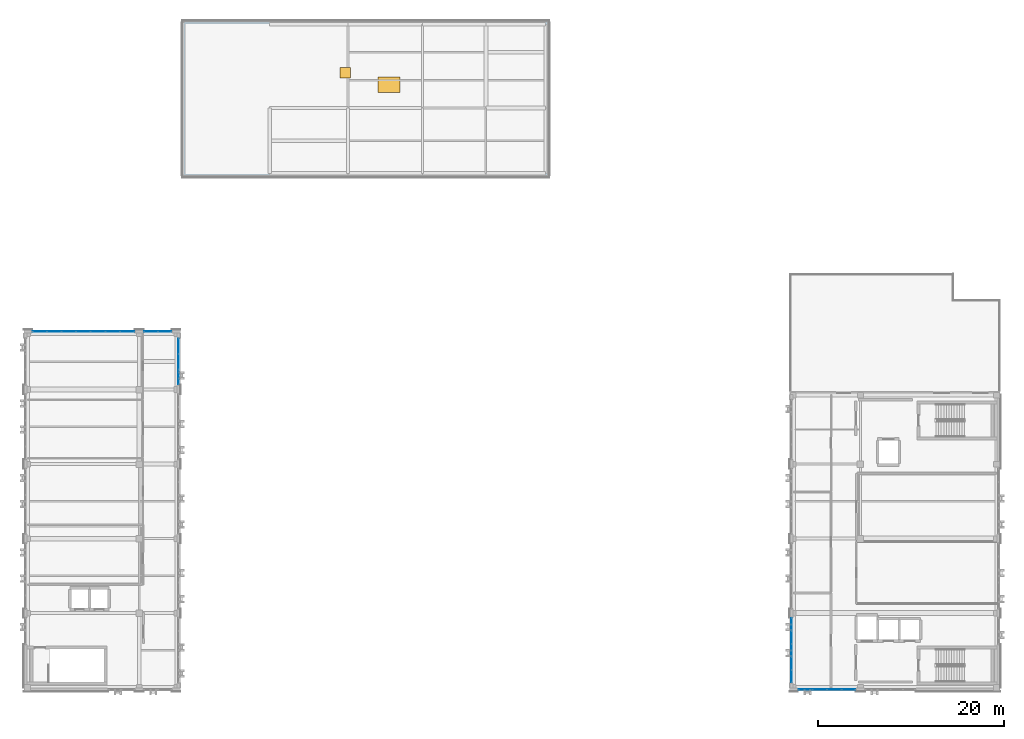
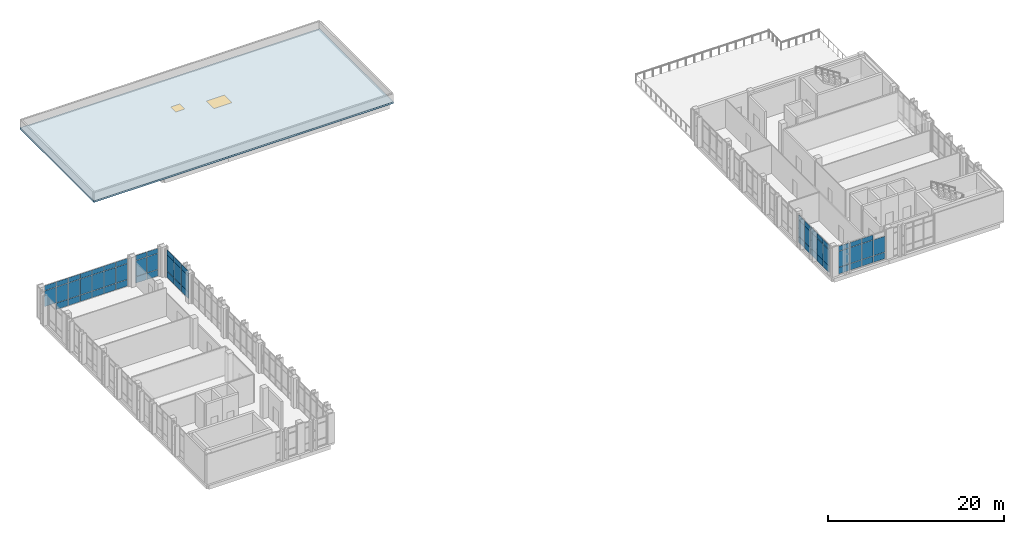
# One storey, part 33 of 48: 61 plates, 1 door, 1 slab, 1 window, 2 openings, 5 elements without a shape of their own.
"""IFC4 building model written with IfcOpenShell, lengths in metres."""

from ifc_helpers import new_model, si_unit, direction, frame, origin, origin_2d, place, context, subcontext, project, spatial, polyline, rectangle, outline, extrude, material, layer, layer_set, type_object, element, fill, aggregate, save


model = new_model("IFC4")

# Units and contexts
model_context = context("Model", 3, precision=1e-05, world=origin(), true_north=direction((0.0, 1.0)))
body_context = subcontext(model_context, "Body", "Model", "MODEL_VIEW")
ifc_project = project(units=[si_unit("LENGTHUNIT", "METRE"), si_unit("AREAUNIT", "SQUARE_METRE"), si_unit("VOLUMEUNIT", "CUBIC_METRE"), si_unit("PLANEANGLEUNIT", "RADIAN"), si_unit("MASSUNIT", "GRAM", prefix="KILO")], contexts=[model_context])

# Site, building, storey
site_placement = place(None, origin())
site = spatial("IfcSite", under=ifc_project, at=site_placement, CompositionType="ELEMENT")
building_placement = place(site_placement, origin())
building = spatial("IfcBuilding", under=site, at=building_placement, Name="Qalavern Law Courts", CompositionType="ELEMENT")
storey_placement = place(building_placement, frame((0.0, 0.0, 31.199951171875)))
storey = spatial("IfcBuildingStorey", under=building, at=storey_placement, Name="L07", CompositionType="ELEMENT", Elevation=31.199951171875)

# Curtain wall, plates
ifc_material_1 = material(Name="Anodised aluminium and insulated glazing", Category="aluminium")
ifc_layer_1 = layer(ifc_material_1, 0.159912109375)
ifc_layer_set_1 = layer_set([ifc_layer_1], Name="Anodised aluminium and insulated glazing")
curtain_wall_type = type_object("IfcCurtainWallType", Name="ENV-CW-CHAMB", PredefinedType="USERDEFINED", material=ifc_layer_set_1)
curtain_wall_1_placement = place(storey_placement, origin())
curtain_wall_1 = element("IfcCurtainWall", 1, at=curtain_wall_1_placement, inside=storey, type_object=curtain_wall_type, Name="V3 unitised curtain wall L07 north 1", ObjectType="UNITISED CURTAIN WALL", PredefinedType="USERDEFINED")
ifc_material_2 = material(Name="Insulated low-E acoustic glazing", Category="glass")
ifc_layer_2 = layer(ifc_material_2, 0.035888671875)
ifc_layer_set_2 = layer_set([ifc_layer_2], Name="Insulated low-E acoustic glazing")
plate_type_1 = type_object("IfcPlateType", Name="ENV-CWP-36", PredefinedType="CURTAIN_PANEL", material=ifc_layer_set_2)
plate_1_placement = place(storey_placement, frame((17.137939453125, 79.62255859375, 0.048095703125), z_axis=(0.0, 0.0, 1.0), x_axis=(-1.0, 0.0, 0.0)))
plate_1 = element("IfcPlate", 2, at=plate_1_placement, type_object=plate_type_1, Name="CW-04 panel 1.1", PredefinedType="CURTAIN_PANEL", context=body_context, shape_type="SweptSolid", body=[
    extrude(rectangle(XDim=1.427978515625, YDim=0.035888671875, at=origin_2d()), origin(), (0.0, 0.0, 1.0), 0.8779296875),
])
plate_2_placement = place(storey_placement, frame((17.137939453125, 79.62255859375, 0.97412109375), z_axis=(0.0, 0.0, 1.0), x_axis=(-1.0, 0.0, 0.0)))
plate_2 = element("IfcPlate", 3, at=plate_2_placement, type_object=plate_type_1, Name="CW-04 panel 1.2", PredefinedType="CURTAIN_PANEL", context=body_context, shape_type="SweptSolid", body=[
    extrude(rectangle(XDim=1.427978515625, YDim=0.035888671875, at=origin_2d()), origin(), (0.0, 0.0, 1.0), 2.19189453125),
])
plate_3_placement = place(storey_placement, frame((17.137939453125, 79.62255859375, 3.2138671875), z_axis=(0.0, 0.0, 1.0), x_axis=(-1.0, 0.0, 0.0)))
plate_3 = element("IfcPlate", 4, at=plate_3_placement, type_object=plate_type_1, Name="CW-04 panel 1.3", PredefinedType="CURTAIN_PANEL", context=body_context, shape_type="SweptSolid", body=[
    extrude(rectangle(XDim=1.427978515625, YDim=0.035888671875, at=origin_2d()), origin(), (0.0, 0.0, 1.0), 0.677978515625),
])
plate_4_placement = place(storey_placement, frame((15.662109375, 79.62255859375, 0.048095703125), z_axis=(0.0, 0.0, 1.0), x_axis=(-1.0, 0.0, 0.0)))
plate_4 = element("IfcPlate", 5, at=plate_4_placement, type_object=plate_type_1, Name="CW-04 panel 2.1", PredefinedType="CURTAIN_PANEL", context=body_context, shape_type="SweptSolid", body=[
    extrude(rectangle(XDim=1.427978515625, YDim=0.035888671875, at=origin_2d()), origin(), (0.0, 0.0, 1.0), 0.8779296875),
])
plate_5_placement = place(storey_placement, frame((15.662109375, 79.62255859375, 0.97412109375), z_axis=(0.0, 0.0, 1.0), x_axis=(-1.0, 0.0, 0.0)))
plate_5 = element("IfcPlate", 6, at=plate_5_placement, type_object=plate_type_1, Name="CW-04 panel 2.2", PredefinedType="CURTAIN_PANEL", context=body_context, shape_type="SweptSolid", body=[
    extrude(rectangle(XDim=1.427978515625, YDim=0.035888671875, at=origin_2d()), origin(), (0.0, 0.0, 1.0), 2.19189453125),
])
plate_6_placement = place(storey_placement, frame((15.662109375, 79.62255859375, 3.2138671875), z_axis=(0.0, 0.0, 1.0), x_axis=(-1.0, 0.0, 0.0)))
plate_6 = element("IfcPlate", 7, at=plate_6_placement, type_object=plate_type_1, Name="CW-04 panel 2.3", PredefinedType="CURTAIN_PANEL", context=body_context, shape_type="SweptSolid", body=[
    extrude(rectangle(XDim=1.427978515625, YDim=0.035888671875, at=origin_2d()), origin(), (0.0, 0.0, 1.0), 0.677978515625),
])
aggregate(curtain_wall_1, [plate_1, plate_2, plate_3, plate_4, plate_5, plate_6])

curtain_wall_2_placement = place(storey_placement, origin())
curtain_wall_2 = element("IfcCurtainWall", 8, at=curtain_wall_2_placement, inside=storey, type_object=curtain_wall_type, Name="V4 unitised curtain wall L07 south 1", ObjectType="UNITISED CURTAIN WALL", PredefinedType="USERDEFINED")
plate_7_placement = place(storey_placement, frame((85.886962890625, 41.197509765625, 0.048095703125), z_axis=(0.0, 0.0, 1.0), x_axis=(1.0, 0.0, 0.0)))
plate_7 = element("IfcPlate", 9, at=plate_7_placement, type_object=plate_type_1, Name="CW-04 panel 1.1", PredefinedType="CURTAIN_PANEL", context=body_context, shape_type="SweptSolid", body=[
    extrude(rectangle(XDim=1.47802734375, YDim=0.035888671875, at=origin_2d()), origin(), (0.0, 0.0, 1.0), 0.8779296875),
])
plate_8_placement = place(storey_placement, frame((85.886962890625, 41.197509765625, 0.97412109375), z_axis=(0.0, 0.0, 1.0), x_axis=(1.0, 0.0, 0.0)))
plate_8 = element("IfcPlate", 10, at=plate_8_placement, type_object=plate_type_1, Name="CW-04 panel 1.2", PredefinedType="CURTAIN_PANEL", context=body_context, shape_type="SweptSolid", body=[
    extrude(rectangle(XDim=1.47802734375, YDim=0.035888671875, at=origin_2d()), origin(), (0.0, 0.0, 1.0), 2.19189453125),
])
plate_9_placement = place(storey_placement, frame((85.886962890625, 41.197509765625, 3.2138671875), z_axis=(0.0, 0.0, 1.0), x_axis=(1.0, 0.0, 0.0)))
plate_9 = element("IfcPlate", 11, at=plate_9_placement, type_object=plate_type_1, Name="CW-04 panel 1.3", PredefinedType="CURTAIN_PANEL", context=body_context, shape_type="SweptSolid", body=[
    extrude(rectangle(XDim=1.47802734375, YDim=0.035888671875, at=origin_2d()), origin(), (0.0, 0.0, 1.0), 0.677978515625),
])
plate_10_placement = place(storey_placement, frame((87.425048828125, 41.197509765625, 0.048095703125), z_axis=(0.0, 0.0, 1.0), x_axis=(1.0, 0.0, 0.0)))
plate_10 = element("IfcPlate", 12, at=plate_10_placement, type_object=plate_type_1, Name="CW-04 panel 2.1", PredefinedType="CURTAIN_PANEL", context=body_context, shape_type="SweptSolid", body=[
    extrude(rectangle(XDim=1.501953125, YDim=0.035888671875, at=origin_2d()), origin(), (0.0, 0.0, 1.0), 0.8779296875),
])
plate_11_placement = place(storey_placement, frame((87.425048828125, 41.197509765625, 0.97412109375), z_axis=(0.0, 0.0, 1.0), x_axis=(1.0, 0.0, 0.0)))
plate_11 = element("IfcPlate", 13, at=plate_11_placement, type_object=plate_type_1, Name="CW-04 panel 2.2", PredefinedType="CURTAIN_PANEL", context=body_context, shape_type="SweptSolid", body=[
    extrude(rectangle(XDim=1.501953125, YDim=0.035888671875, at=origin_2d()), origin(), (0.0, 0.0, 1.0), 2.19189453125),
])
plate_12_placement = place(storey_placement, frame((87.425048828125, 41.197509765625, 3.2138671875), z_axis=(0.0, 0.0, 1.0), x_axis=(1.0, 0.0, 0.0)))
plate_12 = element("IfcPlate", 14, at=plate_12_placement, type_object=plate_type_1, Name="CW-04 panel 2.3", PredefinedType="CURTAIN_PANEL", context=body_context, shape_type="SweptSolid", body=[
    extrude(rectangle(XDim=1.501953125, YDim=0.035888671875, at=origin_2d()), origin(), (0.0, 0.0, 1.0), 0.677978515625),
])
plate_13_placement = place(storey_placement, frame((88.97509765625, 41.197509765625, 0.048095703125), z_axis=(0.0, 0.0, 1.0), x_axis=(1.0, 0.0, 0.0)))
plate_13 = element("IfcPlate", 15, at=plate_13_placement, type_object=plate_type_1, Name="CW-04 panel 3.1", PredefinedType="CURTAIN_PANEL", context=body_context, shape_type="SweptSolid", body=[
    extrude(rectangle(XDim=1.501953125, YDim=0.035888671875, at=origin_2d()), origin(), (0.0, 0.0, 1.0), 0.8779296875),
])
plate_14_placement = place(storey_placement, frame((88.97509765625, 41.197509765625, 0.97412109375), z_axis=(0.0, 0.0, 1.0), x_axis=(1.0, 0.0, 0.0)))
plate_14 = element("IfcPlate", 16, at=plate_14_placement, type_object=plate_type_1, Name="CW-04 panel 3.2", PredefinedType="CURTAIN_PANEL", context=body_context, shape_type="SweptSolid", body=[
    extrude(rectangle(XDim=1.501953125, YDim=0.035888671875, at=origin_2d()), origin(), (0.0, 0.0, 1.0), 2.19189453125),
])
plate_15_placement = place(storey_placement, frame((88.97509765625, 41.197509765625, 3.2138671875), z_axis=(0.0, 0.0, 1.0), x_axis=(1.0, 0.0, 0.0)))
plate_15 = element("IfcPlate", 17, at=plate_15_placement, type_object=plate_type_1, Name="CW-04 panel 3.3", PredefinedType="CURTAIN_PANEL", context=body_context, shape_type="SweptSolid", body=[
    extrude(rectangle(XDim=1.501953125, YDim=0.035888671875, at=origin_2d()), origin(), (0.0, 0.0, 1.0), 0.677978515625),
])
plate_16_placement = place(storey_placement, frame((90.512939453125, 41.197509765625, 0.048095703125), z_axis=(0.0, 0.0, 1.0), x_axis=(1.0, 0.0, 0.0)))
plate_16 = element("IfcPlate", 18, at=plate_16_placement, type_object=plate_type_1, Name="CW-04 panel 4.1", PredefinedType="CURTAIN_PANEL", context=body_context, shape_type="SweptSolid", body=[
    extrude(rectangle(XDim=1.47802734375, YDim=0.035888671875, at=origin_2d()), origin(), (0.0, 0.0, 1.0), 0.8779296875),
])
plate_17_placement = place(storey_placement, frame((90.512939453125, 41.197509765625, 0.97412109375), z_axis=(0.0, 0.0, 1.0), x_axis=(1.0, 0.0, 0.0)))
plate_17 = element("IfcPlate", 19, at=plate_17_placement, type_object=plate_type_1, Name="CW-04 panel 4.2", PredefinedType="CURTAIN_PANEL", context=body_context, shape_type="SweptSolid", body=[
    extrude(rectangle(XDim=1.47802734375, YDim=0.035888671875, at=origin_2d()), origin(), (0.0, 0.0, 1.0), 2.19189453125),
])
aggregate(curtain_wall_2, [plate_7, plate_8, plate_9, plate_10, plate_11, plate_12, plate_13, plate_14, plate_15, plate_16, plate_17])

curtain_wall_3_placement = place(storey_placement, origin())
curtain_wall_3 = element("IfcCurtainWall", 20, at=curtain_wall_3_placement, inside=storey, type_object=curtain_wall_type, Name="V3 unitised curtain wall L07 north 2", ObjectType="UNITISED CURTAIN WALL", PredefinedType="USERDEFINED")
ifc_layer_3 = layer(ifc_material_2, 0.0400390625)
ifc_layer_set_3 = layer_set([ifc_layer_3], Name="Insulated low-E acoustic glazing")
plate_type_2 = type_object("IfcPlateType", Name="ENV-CWP-40", PredefinedType="CURTAIN_PANEL", material=ifc_layer_set_3)
plate_18_placement = place(storey_placement, frame((13.102294921875, 79.62255859375, 0.048095703125), z_axis=(0.0, 0.0, 1.0), x_axis=(-1.0, 0.0, 0.0)))
plate_18 = element("IfcPlate", 21, at=plate_18_placement, type_object=plate_type_2, Name="CW-04 panel 1.1", PredefinedType="CURTAIN_PANEL", context=body_context, shape_type="SweptSolid", body=[
    extrude(rectangle(XDim=1.49951171875, YDim=0.0400390625, at=origin_2d()), origin(), (0.0, 0.0, 1.0), 0.8779296875),
])
plate_19_placement = place(storey_placement, frame((13.102294921875, 79.62255859375, 0.97412109375), z_axis=(0.0, 0.0, 1.0), x_axis=(-1.0, 0.0, 0.0)))
plate_19 = element("IfcPlate", 22, at=plate_19_placement, type_object=plate_type_2, Name="CW-04 panel 1.2", PredefinedType="CURTAIN_PANEL", context=body_context, shape_type="SweptSolid", body=[
    extrude(rectangle(XDim=1.49951171875, YDim=0.0400390625, at=origin_2d()), origin(), (0.0, 0.0, 1.0), 2.19189453125),
])
plate_20_placement = place(storey_placement, frame((13.102294921875, 79.62255859375, 3.2138671875), z_axis=(0.0, 0.0, 1.0), x_axis=(-1.0, 0.0, 0.0)))
plate_20 = element("IfcPlate", 23, at=plate_20_placement, type_object=plate_type_2, Name="CW-04 panel 1.3", PredefinedType="CURTAIN_PANEL", context=body_context, shape_type="SweptSolid", body=[
    extrude(rectangle(XDim=1.49951171875, YDim=0.0400390625, at=origin_2d()), origin(), (0.0, 0.0, 1.0), 0.677978515625),
])
plate_21_placement = place(storey_placement, frame((11.54296875, 79.62255859375, 0.048095703125), z_axis=(0.0, 0.0, 1.0), x_axis=(-1.0, 0.0, 0.0)))
plate_21 = element("IfcPlate", 24, at=plate_21_placement, type_object=plate_type_2, Name="CW-04 panel 2.1", PredefinedType="CURTAIN_PANEL", context=body_context, shape_type="SweptSolid", body=[
    extrude(rectangle(XDim=1.5234375, YDim=0.0400390625, at=origin_2d()), origin(), (0.0, 0.0, 1.0), 0.8779296875),
])
plate_22_placement = place(storey_placement, frame((11.54296875, 79.62255859375, 0.97412109375), z_axis=(0.0, 0.0, 1.0), x_axis=(-1.0, 0.0, 0.0)))
plate_22 = element("IfcPlate", 25, at=plate_22_placement, type_object=plate_type_2, Name="CW-04 panel 2.2", PredefinedType="CURTAIN_PANEL", context=body_context, shape_type="SweptSolid", body=[
    extrude(rectangle(XDim=1.5234375, YDim=0.0400390625, at=origin_2d()), origin(), (0.0, 0.0, 1.0), 2.19189453125),
])
plate_23_placement = place(storey_placement, frame((11.54296875, 79.62255859375, 3.2138671875), z_axis=(0.0, 0.0, 1.0), x_axis=(-1.0, 0.0, 0.0)))
plate_23 = element("IfcPlate", 26, at=plate_23_placement, type_object=plate_type_2, Name="CW-04 panel 2.3", PredefinedType="CURTAIN_PANEL", context=body_context, shape_type="SweptSolid", body=[
    extrude(rectangle(XDim=1.5234375, YDim=0.0400390625, at=origin_2d()), origin(), (0.0, 0.0, 1.0), 0.677978515625),
])
plate_24_placement = place(storey_placement, frame((9.971435546875, 79.62255859375, 0.048095703125), z_axis=(0.0, 0.0, 1.0), x_axis=(-1.0, 0.0, 0.0)))
plate_24 = element("IfcPlate", 27, at=plate_24_placement, type_object=plate_type_2, Name="CW-04 panel 3.1", PredefinedType="CURTAIN_PANEL", context=body_context, shape_type="SweptSolid", body=[
    extrude(rectangle(XDim=1.5234375, YDim=0.0400390625, at=origin_2d()), origin(), (0.0, 0.0, 1.0), 0.8779296875),
])
plate_25_placement = place(storey_placement, frame((9.971435546875, 79.62255859375, 0.97412109375), z_axis=(0.0, 0.0, 1.0), x_axis=(-1.0, 0.0, 0.0)))
plate_25 = element("IfcPlate", 28, at=plate_25_placement, type_object=plate_type_2, Name="CW-04 panel 3.2", PredefinedType="CURTAIN_PANEL", context=body_context, shape_type="SweptSolid", body=[
    extrude(rectangle(XDim=1.5234375, YDim=0.0400390625, at=origin_2d()), origin(), (0.0, 0.0, 1.0), 2.19189453125),
])
plate_26_placement = place(storey_placement, frame((9.971435546875, 79.62255859375, 3.2138671875), z_axis=(0.0, 0.0, 1.0), x_axis=(-1.0, 0.0, 0.0)))
plate_26 = element("IfcPlate", 29, at=plate_26_placement, type_object=plate_type_2, Name="CW-04 panel 3.3", PredefinedType="CURTAIN_PANEL", context=body_context, shape_type="SweptSolid", body=[
    extrude(rectangle(XDim=1.5234375, YDim=0.0400390625, at=origin_2d()), origin(), (0.0, 0.0, 1.0), 0.677978515625),
])
plate_27_placement = place(storey_placement, frame((8.39990234375, 79.62255859375, 0.048095703125), z_axis=(0.0, 0.0, 1.0), x_axis=(-1.0, 0.0, 0.0)))
plate_27 = element("IfcPlate", 30, at=plate_27_placement, type_object=plate_type_2, Name="CW-04 panel 4.1", PredefinedType="CURTAIN_PANEL", context=body_context, shape_type="SweptSolid", body=[
    extrude(rectangle(XDim=1.5234375, YDim=0.0400390625, at=origin_2d()), origin(), (0.0, 0.0, 1.0), 0.8779296875),
])
plate_28_placement = place(storey_placement, frame((8.39990234375, 79.62255859375, 0.97412109375), z_axis=(0.0, 0.0, 1.0), x_axis=(-1.0, 0.0, 0.0)))
plate_28 = element("IfcPlate", 31, at=plate_28_placement, type_object=plate_type_2, Name="CW-04 panel 4.2", PredefinedType="CURTAIN_PANEL", context=body_context, shape_type="SweptSolid", body=[
    extrude(rectangle(XDim=1.5234375, YDim=0.0400390625, at=origin_2d()), origin(), (0.0, 0.0, 1.0), 2.19189453125),
])
plate_29_placement = place(storey_placement, frame((8.39990234375, 79.62255859375, 3.2138671875), z_axis=(0.0, 0.0, 1.0), x_axis=(-1.0, 0.0, 0.0)))
plate_29 = element("IfcPlate", 32, at=plate_29_placement, type_object=plate_type_2, Name="CW-04 panel 4.3", PredefinedType="CURTAIN_PANEL", context=body_context, shape_type="SweptSolid", body=[
    extrude(rectangle(XDim=1.5234375, YDim=0.0400390625, at=origin_2d()), origin(), (0.0, 0.0, 1.0), 0.677978515625),
])
plate_30_placement = place(storey_placement, frame((6.82861328125, 79.62255859375, 0.048095703125), z_axis=(0.0, 0.0, 1.0), x_axis=(-1.0, 0.0, 0.0)))
plate_30 = element("IfcPlate", 33, at=plate_30_placement, type_object=plate_type_2, Name="CW-04 panel 5.1", PredefinedType="CURTAIN_PANEL", context=body_context, shape_type="SweptSolid", body=[
    extrude(rectangle(XDim=1.5234375, YDim=0.0400390625, at=origin_2d()), origin(), (0.0, 0.0, 1.0), 0.8779296875),
])
plate_31_placement = place(storey_placement, frame((6.82861328125, 79.62255859375, 0.97412109375), z_axis=(0.0, 0.0, 1.0), x_axis=(-1.0, 0.0, 0.0)))
plate_31 = element("IfcPlate", 34, at=plate_31_placement, type_object=plate_type_2, Name="CW-04 panel 5.2", PredefinedType="CURTAIN_PANEL", context=body_context, shape_type="SweptSolid", body=[
    extrude(rectangle(XDim=1.5234375, YDim=0.0400390625, at=origin_2d()), origin(), (0.0, 0.0, 1.0), 2.19189453125),
])
plate_32_placement = place(storey_placement, frame((6.82861328125, 79.62255859375, 3.2138671875), z_axis=(0.0, 0.0, 1.0), x_axis=(-1.0, 0.0, 0.0)))
plate_32 = element("IfcPlate", 35, at=plate_32_placement, type_object=plate_type_2, Name="CW-04 panel 5.3", PredefinedType="CURTAIN_PANEL", context=body_context, shape_type="SweptSolid", body=[
    extrude(rectangle(XDim=1.5234375, YDim=0.0400390625, at=origin_2d()), origin(), (0.0, 0.0, 1.0), 0.677978515625),
])
plate_33_placement = place(storey_placement, frame((5.257080078125, 79.62255859375, 0.048095703125), z_axis=(0.0, 0.0, 1.0), x_axis=(-1.0, 0.0, 0.0)))
plate_33 = element("IfcPlate", 36, at=plate_33_placement, type_object=plate_type_2, Name="CW-04 panel 6.1", PredefinedType="CURTAIN_PANEL", context=body_context, shape_type="SweptSolid", body=[
    extrude(rectangle(XDim=1.5234375, YDim=0.0400390625, at=origin_2d()), origin(), (0.0, 0.0, 1.0), 0.8779296875),
])
plate_34_placement = place(storey_placement, frame((5.257080078125, 79.62255859375, 0.97412109375), z_axis=(0.0, 0.0, 1.0), x_axis=(-1.0, 0.0, 0.0)))
plate_34 = element("IfcPlate", 37, at=plate_34_placement, type_object=plate_type_2, Name="CW-04 panel 6.2", PredefinedType="CURTAIN_PANEL", context=body_context, shape_type="SweptSolid", body=[
    extrude(rectangle(XDim=1.5234375, YDim=0.0400390625, at=origin_2d()), origin(), (0.0, 0.0, 1.0), 2.19189453125),
])
plate_35_placement = place(storey_placement, frame((5.257080078125, 79.62255859375, 3.2138671875), z_axis=(0.0, 0.0, 1.0), x_axis=(-1.0, 0.0, 0.0)))
plate_35 = element("IfcPlate", 38, at=plate_35_placement, type_object=plate_type_2, Name="CW-04 panel 6.3", PredefinedType="CURTAIN_PANEL", context=body_context, shape_type="SweptSolid", body=[
    extrude(rectangle(XDim=1.5234375, YDim=0.0400390625, at=origin_2d()), origin(), (0.0, 0.0, 1.0), 0.677978515625),
])
plate_36_placement = place(storey_placement, frame((3.69775390625, 79.62255859375, 0.97412109375), z_axis=(0.0, 0.0, 1.0), x_axis=(-1.0, 0.0, 0.0)))
plate_36 = element("IfcPlate", 39, at=plate_36_placement, type_object=plate_type_2, Name="CW-04 panel 7.2", PredefinedType="CURTAIN_PANEL", context=body_context, shape_type="SweptSolid", body=[
    extrude(rectangle(XDim=1.49951171875, YDim=0.0400390625, at=origin_2d()), origin(), (0.0, 0.0, 1.0), 2.19189453125),
])
plate_37_placement = place(storey_placement, frame((3.69775390625, 79.62255859375, 3.2138671875), z_axis=(0.0, 0.0, 1.0), x_axis=(-1.0, 0.0, 0.0)))
plate_37 = element("IfcPlate", 40, at=plate_37_placement, type_object=plate_type_2, Name="CW-04 panel 7.3", PredefinedType="CURTAIN_PANEL", context=body_context, shape_type="SweptSolid", body=[
    extrude(rectangle(XDim=1.49951171875, YDim=0.0400390625, at=origin_2d()), origin(), (0.0, 0.0, 1.0), 0.677978515625),
])
aggregate(curtain_wall_3, [plate_18, plate_19, plate_20, plate_21, plate_22, plate_23, plate_24, plate_25, plate_26, plate_27, plate_28, plate_29, plate_30, plate_31, plate_32, plate_33, plate_34, plate_35, plate_36, plate_37])

curtain_wall_4_placement = place(storey_placement, origin())
curtain_wall_4 = element("IfcCurtainWall", 41, at=curtain_wall_4_placement, inside=storey, type_object=curtain_wall_type, Name="V4 unitised curtain wall L07 west 4", ObjectType="UNITISED CURTAIN WALL", PredefinedType="USERDEFINED")
ifc_layer_4 = layer(ifc_material_2, 0.048095703125)
ifc_layer_set_4 = layer_set([ifc_layer_4], Name="Insulated low-E acoustic glazing")
plate_type_3 = type_object("IfcPlateType", Name="ENV-CWP-48", PredefinedType="CURTAIN_PANEL", material=ifc_layer_set_4)
plate_38_placement = place(storey_placement, frame((84.37744140625, 48.18994140625, 0.048095703125), z_axis=(0.0, 0.0, 1.0), x_axis=(0.0, -1.0, 0.0)))
plate_38 = element("IfcPlate", 42, at=plate_38_placement, type_object=plate_type_3, Name="CW-04 panel 1.1", PredefinedType="CURTAIN_PANEL", context=body_context, shape_type="SweptSolid", body=[
    extrude(rectangle(XDim=1.323974609375, YDim=0.048095703125, at=origin_2d()), origin(), (0.0, 0.0, 1.0), 0.8779296875),
])
plate_39_placement = place(storey_placement, frame((84.37744140625, 48.18994140625, 0.97412109375), z_axis=(0.0, 0.0, 1.0), x_axis=(0.0, -1.0, 0.0)))
plate_39 = element("IfcPlate", 43, at=plate_39_placement, type_object=plate_type_3, Name="CW-04 panel 1.2", PredefinedType="CURTAIN_PANEL", context=body_context, shape_type="SweptSolid", body=[
    extrude(rectangle(XDim=1.323974609375, YDim=0.048095703125, at=origin_2d()), origin(), (0.0, 0.0, 1.0), 2.19189453125),
])
plate_40_placement = place(storey_placement, frame((84.37744140625, 48.18994140625, 3.2138671875), z_axis=(0.0, 0.0, 1.0), x_axis=(0.0, -1.0, 0.0)))
plate_40 = element("IfcPlate", 44, at=plate_40_placement, type_object=plate_type_3, Name="CW-04 panel 1.3", PredefinedType="CURTAIN_PANEL", context=body_context, shape_type="SweptSolid", body=[
    extrude(rectangle(XDim=1.323974609375, YDim=0.048095703125, at=origin_2d()), origin(), (0.0, 0.0, 1.0), 0.677978515625),
])
plate_41_placement = place(storey_placement, frame((84.37744140625, 46.805908203125, 0.048095703125), z_axis=(0.0, 0.0, 1.0), x_axis=(0.0, -1.0, 0.0)))
plate_41 = element("IfcPlate", 45, at=plate_41_placement, type_object=plate_type_3, Name="CW-04 panel 2.1", PredefinedType="CURTAIN_PANEL", context=body_context, shape_type="SweptSolid", body=[
    extrude(rectangle(XDim=1.347900390625, YDim=0.048095703125, at=origin_2d()), origin(), (0.0, 0.0, 1.0), 0.8779296875),
])
plate_42_placement = place(storey_placement, frame((84.37744140625, 46.805908203125, 0.97412109375), z_axis=(0.0, 0.0, 1.0), x_axis=(0.0, -1.0, 0.0)))
plate_42 = element("IfcPlate", 46, at=plate_42_placement, type_object=plate_type_3, Name="CW-04 panel 2.2", PredefinedType="CURTAIN_PANEL", context=body_context, shape_type="SweptSolid", body=[
    extrude(rectangle(XDim=1.347900390625, YDim=0.048095703125, at=origin_2d()), origin(), (0.0, 0.0, 1.0), 2.19189453125),
])
plate_43_placement = place(storey_placement, frame((84.37744140625, 46.805908203125, 3.2138671875), z_axis=(0.0, 0.0, 1.0), x_axis=(0.0, -1.0, 0.0)))
plate_43 = element("IfcPlate", 47, at=plate_43_placement, type_object=plate_type_3, Name="CW-04 panel 2.3", PredefinedType="CURTAIN_PANEL", context=body_context, shape_type="SweptSolid", body=[
    extrude(rectangle(XDim=1.347900390625, YDim=0.048095703125, at=origin_2d()), origin(), (0.0, 0.0, 1.0), 0.677978515625),
])
plate_44_placement = place(storey_placement, frame((84.37744140625, 45.409912109375, 0.048095703125), z_axis=(0.0, 0.0, 1.0), x_axis=(0.0, -1.0, 0.0)))
plate_44 = element("IfcPlate", 48, at=plate_44_placement, type_object=plate_type_3, Name="CW-04 panel 3.1", PredefinedType="CURTAIN_PANEL", context=body_context, shape_type="SweptSolid", body=[
    extrude(rectangle(XDim=1.347900390625, YDim=0.048095703125, at=origin_2d()), origin(), (0.0, 0.0, 1.0), 0.8779296875),
])
plate_45_placement = place(storey_placement, frame((84.37744140625, 45.409912109375, 0.97412109375), z_axis=(0.0, 0.0, 1.0), x_axis=(0.0, -1.0, 0.0)))
plate_45 = element("IfcPlate", 49, at=plate_45_placement, type_object=plate_type_3, Name="CW-04 panel 3.2", PredefinedType="CURTAIN_PANEL", context=body_context, shape_type="SweptSolid", body=[
    extrude(rectangle(XDim=1.347900390625, YDim=0.048095703125, at=origin_2d()), origin(), (0.0, 0.0, 1.0), 2.19189453125),
])
plate_46_placement = place(storey_placement, frame((84.37744140625, 45.409912109375, 3.2138671875), z_axis=(0.0, 0.0, 1.0), x_axis=(0.0, -1.0, 0.0)))
plate_46 = element("IfcPlate", 50, at=plate_46_placement, type_object=plate_type_3, Name="CW-04 panel 3.3", PredefinedType="CURTAIN_PANEL", context=body_context, shape_type="SweptSolid", body=[
    extrude(rectangle(XDim=1.347900390625, YDim=0.048095703125, at=origin_2d()), origin(), (0.0, 0.0, 1.0), 0.677978515625),
])
plate_47_placement = place(storey_placement, frame((84.37744140625, 44.013916015625, 0.048095703125), z_axis=(0.0, 0.0, 1.0), x_axis=(0.0, -1.0, 0.0)))
plate_47 = element("IfcPlate", 51, at=plate_47_placement, type_object=plate_type_3, Name="CW-04 panel 4.1", PredefinedType="CURTAIN_PANEL", context=body_context, shape_type="SweptSolid", body=[
    extrude(rectangle(XDim=1.347900390625, YDim=0.048095703125, at=origin_2d()), origin(), (0.0, 0.0, 1.0), 0.8779296875),
])
plate_48_placement = place(storey_placement, frame((84.37744140625, 44.013916015625, 0.97412109375), z_axis=(0.0, 0.0, 1.0), x_axis=(0.0, -1.0, 0.0)))
plate_48 = element("IfcPlate", 52, at=plate_48_placement, type_object=plate_type_3, Name="CW-04 panel 4.2", PredefinedType="CURTAIN_PANEL", context=body_context, shape_type="SweptSolid", body=[
    extrude(rectangle(XDim=1.347900390625, YDim=0.048095703125, at=origin_2d()), origin(), (0.0, 0.0, 1.0), 2.19189453125),
])
plate_49_placement = place(storey_placement, frame((84.37744140625, 44.013916015625, 3.2138671875), z_axis=(0.0, 0.0, 1.0), x_axis=(0.0, -1.0, 0.0)))
plate_49 = element("IfcPlate", 53, at=plate_49_placement, type_object=plate_type_3, Name="CW-04 panel 4.3", PredefinedType="CURTAIN_PANEL", context=body_context, shape_type="SweptSolid", body=[
    extrude(rectangle(XDim=1.347900390625, YDim=0.048095703125, at=origin_2d()), origin(), (0.0, 0.0, 1.0), 0.677978515625),
])
plate_50_placement = place(storey_placement, frame((84.37744140625, 42.6298828125, 0.048095703125), z_axis=(0.0, 0.0, 1.0), x_axis=(0.0, -1.0, 0.0)))
plate_50 = element("IfcPlate", 54, at=plate_50_placement, type_object=plate_type_3, Name="CW-04 panel 5.1", PredefinedType="CURTAIN_PANEL", context=body_context, shape_type="SweptSolid", body=[
    extrude(rectangle(XDim=1.323974609375, YDim=0.048095703125, at=origin_2d()), origin(), (0.0, 0.0, 1.0), 0.8779296875),
])
plate_51_placement = place(storey_placement, frame((84.37744140625, 42.6298828125, 0.97412109375), z_axis=(0.0, 0.0, 1.0), x_axis=(0.0, -1.0, 0.0)))
plate_51 = element("IfcPlate", 55, at=plate_51_placement, type_object=plate_type_3, Name="CW-04 panel 5.2", PredefinedType="CURTAIN_PANEL", context=body_context, shape_type="SweptSolid", body=[
    extrude(rectangle(XDim=1.323974609375, YDim=0.048095703125, at=origin_2d()), origin(), (0.0, 0.0, 1.0), 2.19189453125),
])
plate_52_placement = place(storey_placement, frame((84.37744140625, 42.6298828125, 3.2138671875), z_axis=(0.0, 0.0, 1.0), x_axis=(0.0, -1.0, 0.0)))
plate_52 = element("IfcPlate", 56, at=plate_52_placement, type_object=plate_type_3, Name="CW-04 panel 5.3", PredefinedType="CURTAIN_PANEL", context=body_context, shape_type="SweptSolid", body=[
    extrude(rectangle(XDim=1.323974609375, YDim=0.048095703125, at=origin_2d()), origin(), (0.0, 0.0, 1.0), 0.677978515625),
])
aggregate(curtain_wall_4, [plate_38, plate_39, plate_40, plate_41, plate_42, plate_43, plate_44, plate_45, plate_46, plate_47, plate_48, plate_49, plate_50, plate_51, plate_52])

curtain_wall_5_placement = place(storey_placement, origin())
curtain_wall_5 = element("IfcCurtainWall", 57, at=curtain_wall_5_placement, inside=storey, type_object=curtain_wall_type, Name="V3 unitised curtain wall L07 east 5", ObjectType="UNITISED CURTAIN WALL", PredefinedType="USERDEFINED")
ifc_layer_5 = layer(ifc_material_2, 0.052001953125)
ifc_layer_set_5 = layer_set([ifc_layer_5], Name="Insulated low-E acoustic glazing")
plate_type_4 = type_object("IfcPlateType", Name="ENV-CWP-52", PredefinedType="CURTAIN_PANEL", material=ifc_layer_set_5)
plate_53_placement = place(storey_placement, frame((18.62255859375, 74.745361328125, 0.048095703125), z_axis=(0.0, 0.0, 1.0), x_axis=(0.0, 1.0, 0.0)))
plate_53 = element("IfcPlate", 58, at=plate_53_placement, type_object=plate_type_4, Name="CW-04 panel 1.1", PredefinedType="CURTAIN_PANEL", context=body_context, shape_type="SweptSolid", body=[
    extrude(rectangle(XDim=1.5947265625, YDim=0.052001953125, at=origin_2d()), origin(), (0.0, 0.0, 1.0), 0.8779296875),
])
plate_54_placement = place(storey_placement, frame((18.62255859375, 74.745361328125, 0.97412109375), z_axis=(0.0, 0.0, 1.0), x_axis=(0.0, 1.0, 0.0)))
plate_54 = element("IfcPlate", 59, at=plate_54_placement, type_object=plate_type_4, Name="CW-04 panel 1.2", PredefinedType="CURTAIN_PANEL", context=body_context, shape_type="SweptSolid", body=[
    extrude(rectangle(XDim=1.5947265625, YDim=0.052001953125, at=origin_2d()), origin(), (0.0, 0.0, 1.0), 2.19189453125),
])
plate_55_placement = place(storey_placement, frame((18.62255859375, 74.745361328125, 3.2138671875), z_axis=(0.0, 0.0, 1.0), x_axis=(0.0, 1.0, 0.0)))
plate_55 = element("IfcPlate", 60, at=plate_55_placement, type_object=plate_type_4, Name="CW-04 panel 1.3", PredefinedType="CURTAIN_PANEL", context=body_context, shape_type="SweptSolid", body=[
    extrude(rectangle(XDim=1.5947265625, YDim=0.052001953125, at=origin_2d()), origin(), (0.0, 0.0, 1.0), 0.677978515625),
])
plate_56_placement = place(storey_placement, frame((18.62255859375, 76.39990234375, 0.048095703125), z_axis=(0.0, 0.0, 1.0), x_axis=(0.0, 1.0, 0.0)))
plate_56 = element("IfcPlate", 61, at=plate_56_placement, type_object=plate_type_4, Name="CW-04 panel 2.1", PredefinedType="CURTAIN_PANEL", context=body_context, shape_type="SweptSolid", body=[
    extrude(rectangle(XDim=1.61865234375, YDim=0.052001953125, at=origin_2d()), origin(), (0.0, 0.0, 1.0), 0.8779296875),
])
plate_57_placement = place(storey_placement, frame((18.62255859375, 76.39990234375, 0.97412109375), z_axis=(0.0, 0.0, 1.0), x_axis=(0.0, 1.0, 0.0)))
plate_57 = element("IfcPlate", 62, at=plate_57_placement, type_object=plate_type_4, Name="CW-04 panel 2.2", PredefinedType="CURTAIN_PANEL", context=body_context, shape_type="SweptSolid", body=[
    extrude(rectangle(XDim=1.61865234375, YDim=0.052001953125, at=origin_2d()), origin(), (0.0, 0.0, 1.0), 2.19189453125),
])
plate_58_placement = place(storey_placement, frame((18.62255859375, 76.39990234375, 3.2138671875), z_axis=(0.0, 0.0, 1.0), x_axis=(0.0, 1.0, 0.0)))
plate_58 = element("IfcPlate", 63, at=plate_58_placement, type_object=plate_type_4, Name="CW-04 panel 2.3", PredefinedType="CURTAIN_PANEL", context=body_context, shape_type="SweptSolid", body=[
    extrude(rectangle(XDim=1.61865234375, YDim=0.052001953125, at=origin_2d()), origin(), (0.0, 0.0, 1.0), 0.677978515625),
])
plate_59_placement = place(storey_placement, frame((18.62255859375, 78.0546875, 0.048095703125), z_axis=(0.0, 0.0, 1.0), x_axis=(0.0, 1.0, 0.0)))
plate_59 = element("IfcPlate", 64, at=plate_59_placement, type_object=plate_type_4, Name="CW-04 panel 3.1", PredefinedType="CURTAIN_PANEL", context=body_context, shape_type="SweptSolid", body=[
    extrude(rectangle(XDim=1.5947265625, YDim=0.052001953125, at=origin_2d()), origin(), (0.0, 0.0, 1.0), 0.8779296875),
])
plate_60_placement = place(storey_placement, frame((18.62255859375, 78.0546875, 0.97412109375), z_axis=(0.0, 0.0, 1.0), x_axis=(0.0, 1.0, 0.0)))
plate_60 = element("IfcPlate", 65, at=plate_60_placement, type_object=plate_type_4, Name="CW-04 panel 3.2", PredefinedType="CURTAIN_PANEL", context=body_context, shape_type="SweptSolid", body=[
    extrude(rectangle(XDim=1.5947265625, YDim=0.052001953125, at=origin_2d()), origin(), (0.0, 0.0, 1.0), 2.19189453125),
])
plate_61_placement = place(storey_placement, frame((18.62255859375, 78.0546875, 3.2138671875), z_axis=(0.0, 0.0, 1.0), x_axis=(0.0, 1.0, 0.0)))
plate_61 = element("IfcPlate", 66, at=plate_61_placement, type_object=plate_type_4, Name="CW-04 panel 3.3", PredefinedType="CURTAIN_PANEL", context=body_context, shape_type="SweptSolid", body=[
    extrude(rectangle(XDim=1.5947265625, YDim=0.052001953125, at=origin_2d()), origin(), (0.0, 0.0, 1.0), 0.677978515625),
])
aggregate(curtain_wall_5, [plate_53, plate_54, plate_55, plate_56, plate_57, plate_58, plate_59, plate_60, plate_61])

# Slab, openings, door, window
ifc_material_3 = material(Name="Concrete C35/45", Category="concrete")
ifc_layer_6 = layer(ifc_material_3, 0.236083984375)
ifc_layer_set_6 = layer_set([ifc_layer_6], Name="Concrete C35/45")
slab_type = type_object("IfcSlabType", Name="STR-ROOF-FLAT236", PredefinedType="ROOF", material=ifc_layer_set_6)
slab_placement = place(storey_placement, frame((0.0, 0.0, -0.23583984375)))
slab = element("IfcSlab", 67, at=slab_placement, inside=storey, type_object=slab_type, Name="V5 insulated flat roof slab L07", PredefinedType="ROOF", context=body_context, shape_type="SweptSolid", body=[
    extrude(outline(polyline([(19.02001953125, 96.199951171875), (58.39990234375, 96.199951171875), (58.39990234375, 113.0), (19.02001953125, 113.0), (19.02001953125, 96.199951171875)])), origin(), (0.0, 0.0, 1.0), 0.23583984375),
])
opening_1_placement = place(slab_placement, frame((36.510009765625, 107.39990234375, 0.0)))
opening_1 = element("IfcOpeningElement", 68, at=opening_1_placement, cuts=slab, Name="Opening RH-01", PredefinedType="OPENING", context=body_context, shape_type="SweptSolid", body=[
    extrude(rectangle(XDim=1.14990234375, YDim=1.14990234375, at=origin_2d()), frame((0.0, 0.0, -0.014892578125)), (0.0, 0.0, 1.0), 0.265625),
])
opening_2_placement = place(slab_placement, frame((41.2099609375, 106.10009765625, 0.0)))
opening_2 = element("IfcOpeningElement", 69, at=opening_2_placement, cuts=slab, Name="Opening SK-08", PredefinedType="OPENING", context=body_context, shape_type="SweptSolid", body=[
    extrude(rectangle(XDim=2.35009765625, YDim=1.699951171875, at=origin_2d()), frame((0.0, 0.0, -0.014892578125)), (0.0, 0.0, 1.0), 0.265625),
])
ifc_material_4 = material(Name="Thermally broken anodised aluminium and laminated safety glass", Category="aluminium")
door_type = type_object("IfcDoorType", Name="ENV-HT-1150x1150", OperationType="SINGLE_SWING_LEFT", PredefinedType="TRAPDOOR", material=ifc_material_4)
door_placement = place(opening_1_placement, frame((0.0, 0.0, 0.185791015625)))
door = element("IfcDoor", 70, at=door_placement, inside=storey, type_object=door_type, Name="V5 roof maintenance access hatch L07", OperationType="SINGLE_SWING_LEFT", OverallHeight=1.14990234375, OverallWidth=1.14990234375, PredefinedType="TRAPDOOR", context=body_context, shape_type="SweptSolid", body=[
    extrude(rectangle(XDim=1.14990234375, YDim=1.14990234375, at=origin_2d()), origin(), (0.0, 0.0, 1.0), 0.050048828125),
])
fill(opening_1, door)
ifc_material_5 = material(Name="Anodised aluminium skylight with laminated low-E glazing", Category="aluminium")
window_type = type_object("IfcWindowType", Name="ENV-SKY-2350x1700", PartitioningType="SINGLE_PANEL", PredefinedType="SKYLIGHT", material=ifc_material_5)
window_placement = place(opening_2_placement, frame((0.0, 0.0, 0.185791015625)))
window = element("IfcWindow", 71, at=window_placement, inside=storey, type_object=window_type, Name="V5 rooftop daylight skylight L07", OverallHeight=1.699951171875, OverallWidth=2.35009765625, PartitioningType="SINGLE_PANEL", PredefinedType="SKYLIGHT", context=body_context, shape_type="SweptSolid", body=[
    extrude(rectangle(XDim=2.35009765625, YDim=1.699951171875, at=origin_2d()), origin(), (0.0, 0.0, 1.0), 0.050048828125),
])
fill(opening_2, window)

save(model, "model.ifc")
